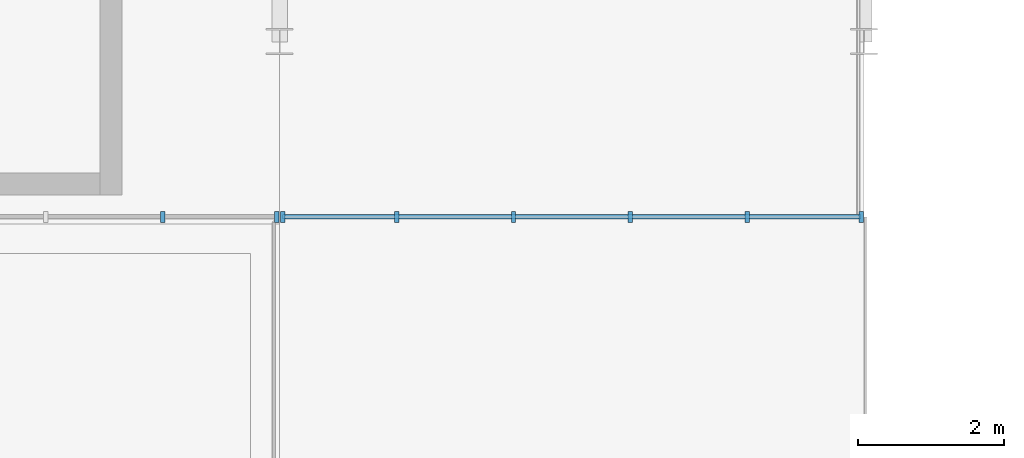
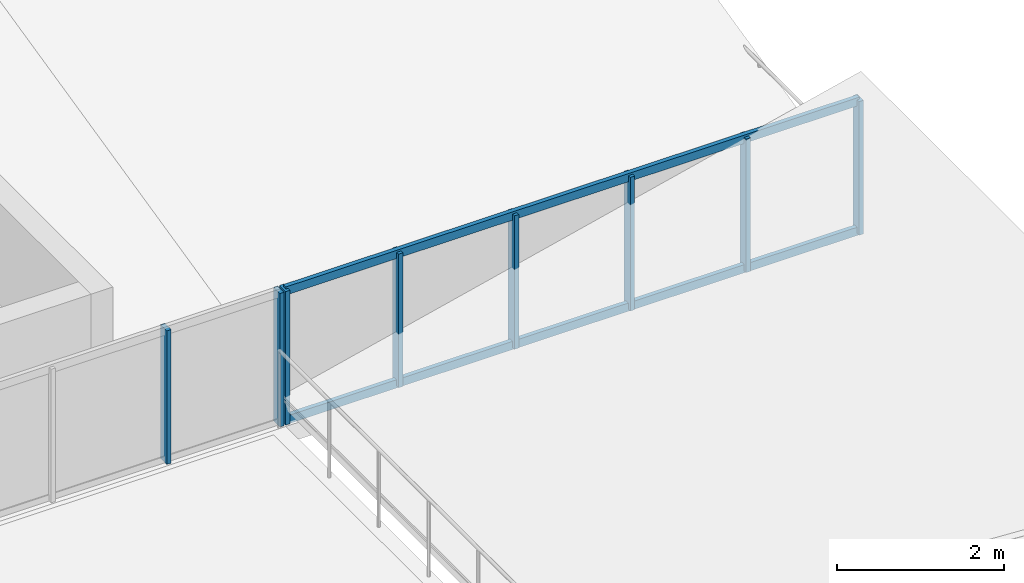
# One storey, part 43 of 83: 10 members, 2 elements without a shape of their own.
"""IFC4 building model written with IfcOpenShell, lengths in metres."""

from ifc_helpers import new_model, si_unit, direction, frame, origin, origin_2d, place, context, subcontext, project, spatial, rectangle, extrude, material, material_profile, profile_set, type_object, element, aggregate, save


model = new_model("IFC4")

# Units and contexts
model_context = context("Model", 3, precision=1e-05, world=origin(), true_north=direction((0.0, 1.0)))
body_context = subcontext(model_context, "Body", "Model", "MODEL_VIEW")
ifc_project = project(units=[si_unit("LENGTHUNIT", "METRE"), si_unit("AREAUNIT", "SQUARE_METRE"), si_unit("VOLUMEUNIT", "CUBIC_METRE"), si_unit("PLANEANGLEUNIT", "RADIAN"), si_unit("MASSUNIT", "GRAM", prefix="KILO")], contexts=[model_context])

# Site, building, storey
site_placement = place(None, origin())
site = spatial("IfcSite", under=ifc_project, at=site_placement, CompositionType="ELEMENT")
building_placement = place(site_placement, origin())
building = spatial("IfcBuilding", under=site, at=building_placement, Name="Drelvath Fold Interchange", CompositionType="ELEMENT")
storey_placement = place(building_placement, frame((0.0, 0.0, 11.199951171875)))
storey = spatial("IfcBuildingStorey", under=building, at=storey_placement, Name="L02", CompositionType="ELEMENT", Elevation=11.199951171875)

# Curtain wall, members
ifc_material = material(Name="Anodized Aluminium 6063-T6", Category="aluminium")
curtain_wall_type = type_object("IfcCurtainWallType", Name="CW-CYC-SAW", PredefinedType="USERDEFINED", material=ifc_material)
curtain_wall_1_placement = place(storey_placement, origin())
curtain_wall_1 = element("IfcCurtainWall", 1, at=curtain_wall_1_placement, inside=storey, type_object=curtain_wall_type, Name="Curtain wall CW-CYC-L02-S126", ObjectType="UNITISED CURTAIN WALL", PredefinedType="USERDEFINED")
ifc_material_profile_1 = material_profile(ifc_material, rectangle(XDim=0.06005859375, YDim=0.14990234375, at=origin_2d()), Name="AL-M 60x150")
ifc_profile_set_1 = profile_set([ifc_material_profile_1], Name="Anodized Aluminium 6063-T6")
member_type_1 = type_object("IfcMemberType", Name="ML-150", PredefinedType="MULLION", material=ifc_profile_set_1)
member_1_placement = place(storey_placement, frame((132.39990234375, 96.60009765625, 0.0), z_axis=(0.0, 0.0, 1.0), x_axis=(1.0, 0.0, 0.0)))
member_1 = element("IfcMember", 2, at=member_1_placement, type_object=member_type_1, Name="CW-CYC-L02-S126 mullion 4", PredefinedType="MULLION", context=body_context, shape_type="SweptSolid", body=[
    extrude(rectangle(XDim=0.06005859375, YDim=0.14990234375, at=origin_2d()), origin(), (0.0, 0.0, 1.0), 1.949951171875),
])
member_2_placement = place(storey_placement, frame((133.9599609375, 96.60009765625, 0.0), z_axis=(0.0, 0.0, 1.0), x_axis=(1.0, 0.0, 0.0)))
member_2 = element("IfcMember", 3, at=member_2_placement, type_object=member_type_1, Name="CW-CYC-L02-S126 mullion 5", PredefinedType="MULLION", context=body_context, shape_type="SweptSolid", body=[
    extrude(rectangle(XDim=0.06005859375, YDim=0.14990234375, at=origin_2d()), origin(), (0.0, 0.0, 1.0), 1.949951171875),
])
aggregate(curtain_wall_1, [member_1, member_2])

curtain_wall_2_placement = place(storey_placement, origin())
curtain_wall_2 = element("IfcCurtainWall", 4, at=curtain_wall_2_placement, inside=storey, type_object=curtain_wall_type, Name="Curtain wall CW-CYC-L02-S134", ObjectType="UNITISED CURTAIN WALL", PredefinedType="USERDEFINED")
member_3_placement = place(storey_placement, frame((134.0400390625, 96.60009765625, 0.0), z_axis=(0.0, 0.0, 1.0), x_axis=(1.0, 0.0, 0.0)))
member_3 = element("IfcMember", 5, at=member_3_placement, type_object=member_type_1, Name="CW-CYC-L02-S134 mullion 0", PredefinedType="MULLION", context=body_context, shape_type="SweptSolid", body=[
    extrude(rectangle(XDim=0.06005859375, YDim=0.14990234375, at=origin_2d()), origin(), (0.0, 0.0, 1.0), 1.949951171875),
])
member_4_placement = place(storey_placement, frame((135.60009765625, 96.60009765625, 0.0), z_axis=(0.0, 0.0, 1.0), x_axis=(1.0, 0.0, 0.0)))
member_4 = element("IfcMember", 6, at=member_4_placement, type_object=member_type_1, Name="CW-CYC-L02-S134 mullion 1", PredefinedType="MULLION", context=body_context, shape_type="SweptSolid", body=[
    extrude(rectangle(XDim=0.06005859375, YDim=0.14990234375, at=origin_2d()), origin(), (0.0, 0.0, 1.0), 1.949951171875),
])
member_5_placement = place(storey_placement, frame((137.199951171875, 96.60009765625, 0.0), z_axis=(0.0, 0.0, 1.0), x_axis=(1.0, 0.0, 0.0)))
member_5 = element("IfcMember", 7, at=member_5_placement, type_object=member_type_1, Name="CW-CYC-L02-S134 mullion 2", PredefinedType="MULLION", context=body_context, shape_type="SweptSolid", body=[
    extrude(rectangle(XDim=0.06005859375, YDim=0.14990234375, at=origin_2d()), origin(), (0.0, 0.0, 1.0), 1.949951171875),
])
member_6_placement = place(storey_placement, frame((138.800048828125, 96.60009765625, 0.0), z_axis=(0.0, 0.0, 1.0), x_axis=(1.0, 0.0, 0.0)))
member_6 = element("IfcMember", 8, at=member_6_placement, type_object=member_type_1, Name="CW-CYC-L02-S134 mullion 3", PredefinedType="MULLION", context=body_context, shape_type="SweptSolid", body=[
    extrude(rectangle(XDim=0.06005859375, YDim=0.14990234375, at=origin_2d()), origin(), (0.0, 0.0, 1.0), 1.949951171875),
])
member_7_placement = place(storey_placement, frame((140.39990234375, 96.60009765625, 0.0), z_axis=(0.0, 0.0, 1.0), x_axis=(1.0, 0.0, 0.0)))
member_7 = element("IfcMember", 9, at=member_7_placement, type_object=member_type_1, Name="CW-CYC-L02-S134 mullion 4", PredefinedType="MULLION", context=body_context, shape_type="SweptSolid", body=[
    extrude(rectangle(XDim=0.06005859375, YDim=0.14990234375, at=origin_2d()), origin(), (0.0, 0.0, 1.0), 1.949951171875),
])
member_8_placement = place(storey_placement, frame((141.9599609375, 96.60009765625, 0.0), z_axis=(0.0, 0.0, 1.0), x_axis=(1.0, 0.0, 0.0)))
member_8 = element("IfcMember", 10, at=member_8_placement, type_object=member_type_1, Name="CW-CYC-L02-S134 mullion 5", PredefinedType="MULLION", context=body_context, shape_type="SweptSolid", body=[
    extrude(rectangle(XDim=0.06005859375, YDim=0.14990234375, at=origin_2d()), origin(), (0.0, 0.0, 1.0), 1.949951171875),
])
ifc_material_profile_2 = material_profile(ifc_material, rectangle(XDim=0.06005859375, YDim=0.1201171875, at=origin_2d()), Name="AL-T 60x120")
ifc_profile_set_2 = profile_set([ifc_material_profile_2], Name="Anodized Aluminium 6063-T6")
member_type_2 = type_object("IfcMemberType", Name="TR-120", PredefinedType="USERDEFINED", material=ifc_profile_set_2)
member_9_placement = place(storey_placement, frame((134.0400390625, 96.60009765625, 0.030029296875), z_axis=(1.0, 0.0, 0.0), x_axis=(0.0, 1.0, 0.0)))
member_9 = element("IfcMember", 11, at=member_9_placement, type_object=member_type_2, Name="CW-CYC-L02-S134 transom 0", ObjectType="TRANSOM", PredefinedType="USERDEFINED", context=body_context, shape_type="SweptSolid", body=[
    extrude(rectangle(XDim=0.06005859375, YDim=0.1201171875, at=origin_2d()), origin(), (0.0, 0.0, 1.0), 7.919921875),
])
member_10_placement = place(storey_placement, frame((134.0400390625, 96.60009765625, 1.920166015625), z_axis=(1.0, 0.0, 0.0), x_axis=(0.0, 1.0, 0.0)))
member_10 = element("IfcMember", 12, at=member_10_placement, type_object=member_type_2, Name="CW-CYC-L02-S134 transom 1", ObjectType="TRANSOM", PredefinedType="USERDEFINED", context=body_context, shape_type="SweptSolid", body=[
    extrude(rectangle(XDim=0.06005859375, YDim=0.1201171875, at=origin_2d()), origin(), (0.0, 0.0, 1.0), 7.919921875),
])
aggregate(curtain_wall_2, [member_3, member_4, member_5, member_6, member_7, member_8, member_9, member_10])

save(model, "model.ifc")
